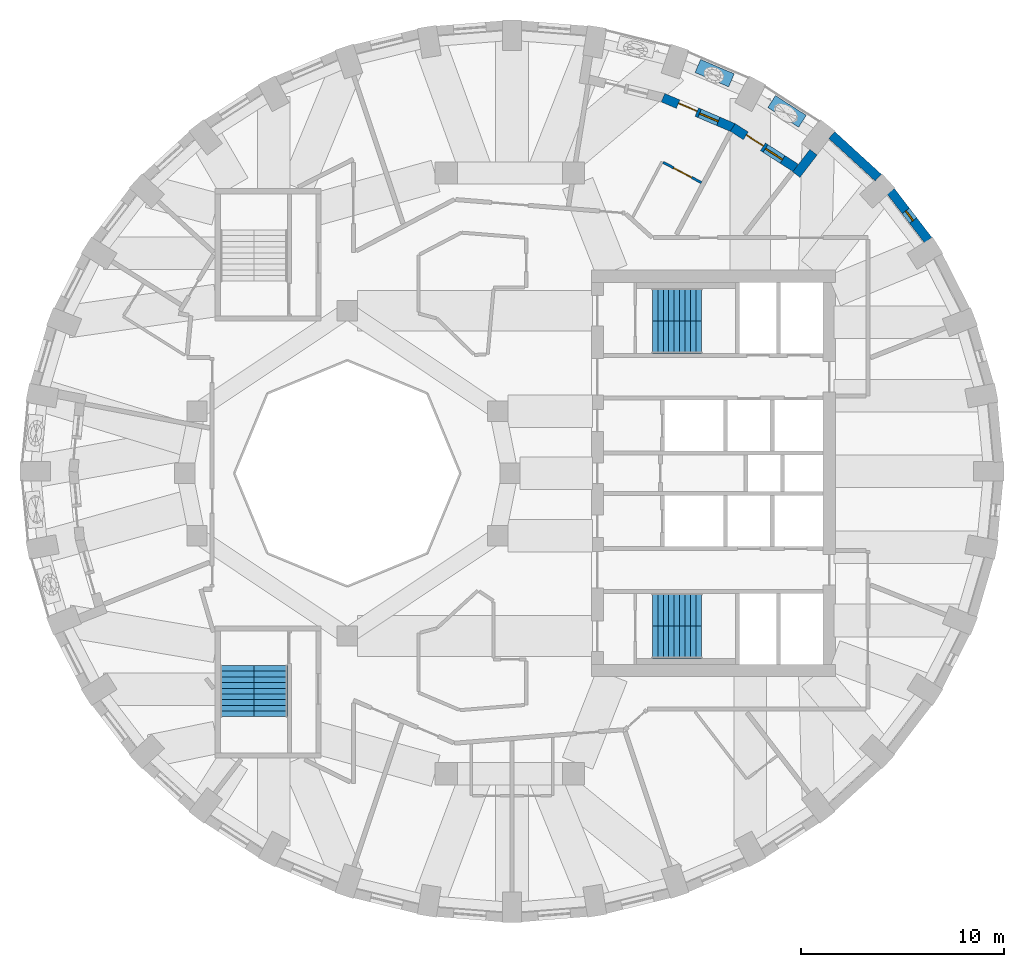
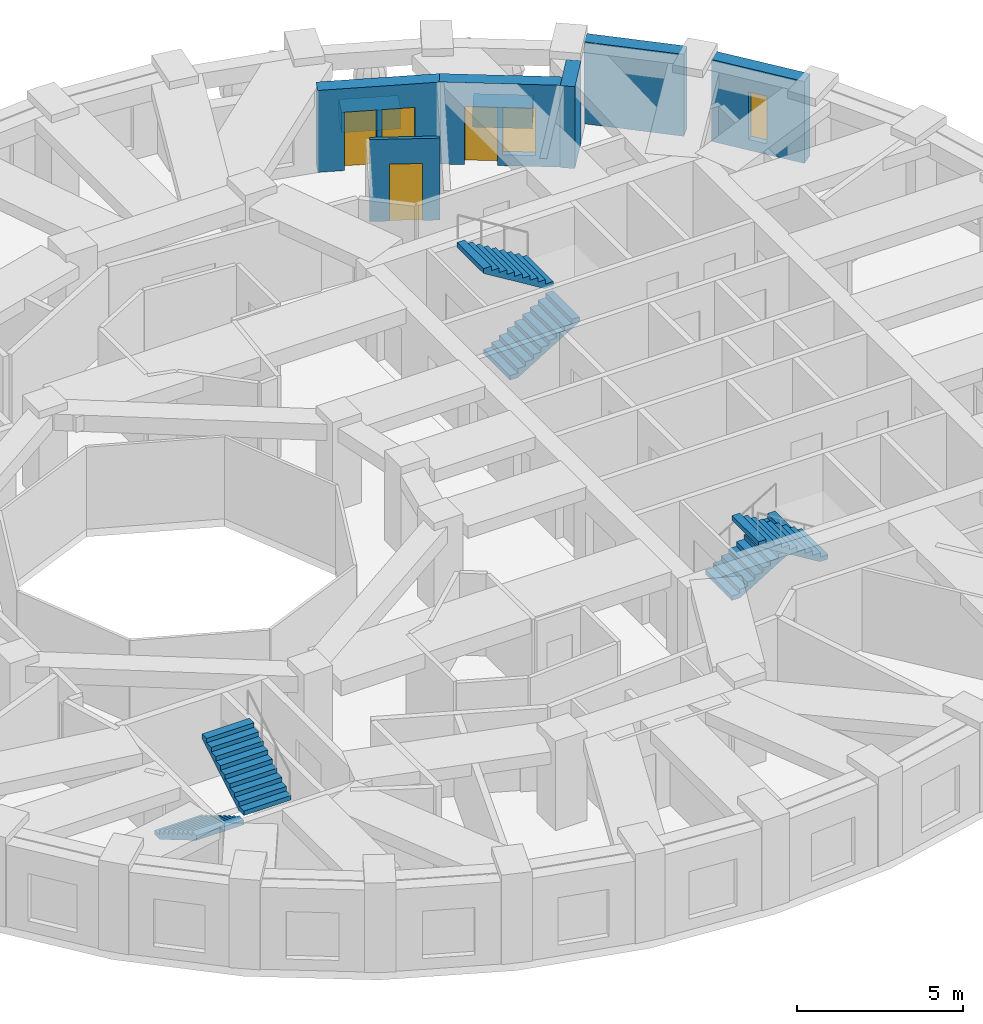
# One storey, part 8 of 12: 8 walls, 6 stair flights, 3 doors, 3 windows, 6 openings, 3 elements without a shape of their own.
"""IFC4 building model written with IfcOpenShell, lengths in metres."""

from ifc_helpers import new_model, si_unit, direction, frame, frame_2d, origin, place, context, subcontext, project, spatial, polyline, rectangle, outline, extrude, material, layer, layer_set, constituent, constituent_set, type_object, element, fill, aggregate, save


model = new_model("IFC4")

# Units and contexts
model_context = context("Model", 3, precision=1e-05, world=origin(), true_north=direction((0.0, 1.0)))
body_context = subcontext(model_context, "Body", "Model", "MODEL_VIEW")
ifc_project = project(units=[si_unit("LENGTHUNIT", "METRE"), si_unit("AREAUNIT", "SQUARE_METRE"), si_unit("VOLUMEUNIT", "CUBIC_METRE"), si_unit("PLANEANGLEUNIT", "RADIAN"), si_unit("MASSUNIT", "GRAM", prefix="KILO")], contexts=[model_context])

# Site, building, storey
site_placement = place(None, origin())
site = spatial("IfcSite", under=ifc_project, at=site_placement, CompositionType="ELEMENT")
building_placement = place(site_placement, origin())
building = spatial("IfcBuilding", under=site, at=building_placement, Name="Taillehof Tower", CompositionType="ELEMENT")
storey_placement = place(building_placement, frame((0.0, 0.0, 148.39990234375)))
storey = spatial("IfcBuildingStorey", under=building, at=storey_placement, Name="L41", CompositionType="ELEMENT", Elevation=148.39990234375)

# Wall, opening, window
ifc_material_1 = material(Name="Brick masonry", Category="masonry")
ifc_layer_1 = layer(ifc_material_1, 0.449951171875)
ifc_layer_set_1 = layer_set([ifc_layer_1], Name="Brick infill wall 450")
wall_type_1 = type_object("IfcWallType", Name="Brick infill wall 450", PredefinedType="SOLIDWALL", material=ifc_layer_set_1)
wall_1_placement = place(storey_placement, frame((20.573974609375, 11.467041015625, 0.0), z_axis=(0.0, 0.0, 1.0), x_axis=(-0.607817056371, 0.794077090706, 0.0)))
wall_1 = element("IfcWall", 1, at=wall_1_placement, inside=storey, type_object=wall_type_1, Name="Brick wall L41 bay 4", PredefinedType="SOLIDWALL", context=body_context, shape_type="SweptSolid", body=[
    extrude(rectangle(XDim=3.037109375, YDim=0.449951171875, at=frame_2d((1.5185546875, 0.0))), origin(), (0.0, 0.0, 1.0), 3.02001953125),
])
opening_1_placement = place(wall_1_placement, frame((1.218505859375, 0.0, 0.39990234375)))
opening_1 = element("IfcOpeningElement", 2, at=opening_1_placement, cuts=wall_1, Name="Opening W6", PredefinedType="OPENING", context=body_context, shape_type="SweptSolid", body=[
    extrude(rectangle(XDim=0.60009765625, YDim=1.75, at=frame_2d((0.300048828125, 0.875))), frame((0.0, 0.23486328125, 0.0), z_axis=(0.0, -1.0, 0.0), x_axis=(1.0, 0.0, 0.0)), (0.0, 0.0, 1.0), 0.469970703125),
])
ifc_material_2 = material(Name="Aluminium window frame with clear double glazing", Category="aluminium")
window_type_1 = type_object("IfcWindowType", Name="Slot window 600x1750", PartitioningType="SINGLE_PANEL", PredefinedType="WINDOW", material=ifc_material_2)
window_1_placement = place(opening_1_placement, origin())
window_1 = element("IfcWindow", 3, at=window_1_placement, inside=storey, type_object=window_type_1, Name="W6", OverallHeight=1.75, OverallWidth=0.60009765625, PartitioningType="SINGLE_PANEL", PredefinedType="WINDOW", context=body_context, shape_type="SweptSolid", body=[
    extrude(rectangle(XDim=0.60009765625, YDim=1.75, at=frame_2d((0.300048828125, 0.875))), frame((0.0, 0.034912109375, 0.0), z_axis=(0.0, -1.0, 0.0), x_axis=(1.0, 0.0, 0.0)), (0.0, 0.0, 1.0), 0.06005859375),
])
fill(opening_1, window_1)

# Walls
wall_2_placement = place(storey_placement, frame((18.11328125, 14.5498046875, 0.0), z_axis=(0.0, 0.0, 1.0), x_axis=(-0.737808755941, 0.675009807082, 0.0)))
element("IfcWall", 4, at=wall_2_placement, inside=storey, type_object=wall_type_1, Name="Brick wall L41 bay 5", PredefinedType="SOLIDWALL", context=body_context, shape_type="SweptSolid", body=[
    extrude(rectangle(XDim=3.094482421875, YDim=0.449951171875, at=frame_2d((1.54736328125, 0.0))), origin(), (0.0, 0.0, 1.0), 3.02001953125),
])
wall_3_placement = place(storey_placement, frame((14.931396484375, 15.796630859375, 0.0), z_axis=(0.0, 0.0, 1.0), x_axis=(-0.609897399413, -0.792480385996, 0.0)))
element("IfcWall", 5, at=wall_3_placement, inside=storey, type_object=wall_type_1, Name="Brick reveal L41 pocket 1", PredefinedType="SOLIDWALL", context=body_context, shape_type="SweptSolid", body=[
    extrude(rectangle(XDim=1.390625, YDim=0.449951171875, at=frame_2d((0.6953125, 0.0))), origin(), (0.0, 0.0, 1.0), 3.02001953125),
])

# Wall, openings, door, window
wall_4_placement = place(storey_placement, frame((14.0537109375, 15.025390625, 0.0), z_axis=(0.0, 0.0, 1.0), x_axis=(-0.841393801846, 0.54042249233, 0.0)))
wall_4 = element("IfcWall", 6, at=wall_4_placement, inside=storey, type_object=wall_type_1, Name="Brick wall L41 pocket bay 6", PredefinedType="SOLIDWALL", context=body_context, shape_type="SweptSolid", body=[
    extrude(rectangle(XDim=3.6826171875, YDim=0.449951171875, at=frame_2d((1.84130859375, 0.0))), origin(), (0.0, 0.0, 1.0), 3.02001953125),
])
opening_2_placement = place(wall_4_placement, frame((0.766357421875, 0.0, 0.39990234375)))
opening_2 = element("IfcOpeningElement", 7, at=opening_2_placement, cuts=wall_4, Name="Opening W5", PredefinedType="OPENING", context=body_context, shape_type="SweptSolid", body=[
    extrude(rectangle(XDim=1.0, YDim=1.75, at=frame_2d((0.5, 0.875))), frame((0.0, 0.23486328125, 0.0), z_axis=(0.0, -1.0, 0.0), x_axis=(1.0, 0.0, 0.0)), (0.0, 0.0, 1.0), 0.469970703125),
])
opening_3_placement = place(wall_4_placement, frame((1.916259765625, 0.0, 0.0)))
opening_3 = element("IfcOpeningElement", 8, at=opening_3_placement, cuts=wall_4, Name="Opening D4194", PredefinedType="OPENING", context=body_context, shape_type="SweptSolid", body=[
    extrude(rectangle(XDim=1.0, YDim=2.14990234375, at=frame_2d((0.5, 1.074951171875))), frame((0.0, 0.23486328125, 0.0), z_axis=(0.0, -1.0, 0.0), x_axis=(1.0, 0.0, 0.0)), (0.0, 0.0, 1.0), 0.469970703125),
])
ifc_material_3 = material(Name="Aluminium door frame with clear double glazing", Category="aluminium")
door_type_1 = type_object("IfcDoorType", Name="Balcony door 1000x2150", OperationType="SINGLE_SWING_RIGHT", PredefinedType="DOOR", material=ifc_material_3)
door_1_placement = place(opening_3_placement, frame((1.0, 0.0, 0.0), z_axis=(0.0, 0.0, 1.0), x_axis=(-1.0, 0.0, 0.0)))
door_1 = element("IfcDoor", 9, at=door_1_placement, inside=storey, type_object=door_type_1, Name="Balcony door L41 bay 6", OperationType="SINGLE_SWING_RIGHT", OverallHeight=2.14990234375, OverallWidth=1.0, PredefinedType="DOOR", context=body_context, shape_type="SweptSolid", body=[
    extrude(rectangle(XDim=1.0, YDim=2.14990234375, at=frame_2d((0.5, 1.074951171875))), frame((0.0, 0.0751953125, 0.0), z_axis=(0.0, -1.0, 0.0), x_axis=(1.0, 0.0, 0.0)), (0.0, 0.0, 1.0), 0.050048828125),
])
fill(opening_3, door_1)
ifc_material_4 = material(Name="Aluminium window frame with clear double glazing", Category="aluminium")
window_type_2 = type_object("IfcWindowType", Name="Fixed window 1000x1750", PartitioningType="SINGLE_PANEL", PredefinedType="WINDOW", material=ifc_material_4)
window_2_placement = place(opening_2_placement, origin())
window_2 = element("IfcWindow", 10, at=window_2_placement, inside=storey, type_object=window_type_2, Name="W5", OverallHeight=1.75, OverallWidth=1.0, PartitioningType="SINGLE_PANEL", PredefinedType="WINDOW", context=body_context, shape_type="SweptSolid", body=[
    extrude(rectangle(XDim=1.0, YDim=1.75, at=frame_2d((0.5, 0.875))), frame((0.0, 0.034912109375, 0.0), z_axis=(0.0, -1.0, 0.0), x_axis=(1.0, 0.0, 0.0)), (0.0, 0.0, 1.0), 0.06005859375),
])
fill(opening_2, window_2)

wall_5_placement = place(storey_placement, frame((10.98828125, 16.998046875, 0.0), z_axis=(0.0, 0.0, 1.0), x_axis=(-0.919443425894, 0.393222311907, 0.0)))
wall_5 = element("IfcWall", 11, at=wall_5_placement, inside=storey, type_object=wall_type_1, Name="Brick wall L41 pocket bay 7", PredefinedType="SOLIDWALL", context=body_context, shape_type="SweptSolid", body=[
    extrude(rectangle(XDim=3.76318359375, YDim=0.449951171875, at=frame_2d((1.881591796875, 0.0))), origin(), (0.0, 0.0, 1.0), 3.02001953125),
])
opening_4_placement = place(wall_5_placement, frame((0.806640625, 0.0, 0.39990234375)))
opening_4 = element("IfcOpeningElement", 12, at=opening_4_placement, cuts=wall_5, Name="Opening W5", PredefinedType="OPENING", context=body_context, shape_type="SweptSolid", body=[
    extrude(rectangle(XDim=1.0, YDim=1.75, at=frame_2d((0.5, 0.875))), frame((0.0, 0.23486328125, 0.0), z_axis=(0.0, -1.0, 0.0), x_axis=(1.0, 0.0, 0.0)), (0.0, 0.0, 1.0), 0.469970703125),
])
opening_5_placement = place(wall_5_placement, frame((1.95654296875, 0.0, 0.0)))
opening_5 = element("IfcOpeningElement", 13, at=opening_5_placement, cuts=wall_5, Name="Opening D4195", PredefinedType="OPENING", context=body_context, shape_type="SweptSolid", body=[
    extrude(rectangle(XDim=1.0, YDim=2.14990234375, at=frame_2d((0.5, 1.074951171875))), frame((0.0, 0.23486328125, 0.0), z_axis=(0.0, -1.0, 0.0), x_axis=(1.0, 0.0, 0.0)), (0.0, 0.0, 1.0), 0.469970703125),
])
door_2_placement = place(opening_5_placement, frame((1.0, 0.0, 0.0), z_axis=(0.0, 0.0, 1.0), x_axis=(-1.0, 0.0, 0.0)))
door_2 = element("IfcDoor", 14, at=door_2_placement, inside=storey, type_object=door_type_1, Name="Balcony door L41 bay 7", OperationType="SINGLE_SWING_LEFT", OverallHeight=2.14990234375, OverallWidth=1.0, PredefinedType="DOOR", context=body_context, shape_type="SweptSolid", body=[
    extrude(rectangle(XDim=1.0, YDim=2.14990234375, at=frame_2d((0.5, 1.074951171875))), frame((0.0, 0.0751953125, 0.0), z_axis=(0.0, -1.0, 0.0), x_axis=(1.0, 0.0, 0.0)), (0.0, 0.0, 1.0), 0.050048828125),
])
fill(opening_5, door_2)
window_3_placement = place(opening_4_placement, origin())
window_3 = element("IfcWindow", 15, at=window_3_placement, inside=storey, type_object=window_type_2, Name="W5", OverallHeight=1.75, OverallWidth=1.0, PartitioningType="SINGLE_PANEL", PredefinedType="WINDOW", context=body_context, shape_type="SweptSolid", body=[
    extrude(rectangle(XDim=1.0, YDim=1.75, at=frame_2d((0.5, 0.875))), frame((0.0, 0.034912109375, 0.0), z_axis=(0.0, -1.0, 0.0), x_axis=(1.0, 0.0, 0.0)), (0.0, 0.0, 1.0), 0.06005859375),
])
fill(opening_4, window_3)

# Wall, opening, door
ifc_material_5 = material(Name="Gypsum board on steel studs, moisture resistant", Category="steel")
ifc_layer_2 = layer(ifc_material_5, 0.1201171875)
ifc_layer_set_2 = layer_set([ifc_layer_2], Name="En-suite wall 120")
wall_type_2 = type_object("IfcWallType", Name="En-suite wall 120", PredefinedType="PARTITIONING", material=ifc_layer_set_2)
wall_6_placement = place(storey_placement, frame((7.532470703125, 15.2998046875, 0.0), z_axis=(0.0, 0.0, 1.0), x_axis=(0.883707061275, -0.468040414764, 0.0)))
wall_6 = element("IfcWall", 16, at=wall_6_placement, inside=storey, type_object=wall_type_2, Name="En-suite wall", PredefinedType="PARTITIONING", context=body_context, shape_type="SweptSolid", body=[
    extrude(rectangle(XDim=2.13037109375, YDim=0.1201171875, at=frame_2d((1.065185546875, 0.0))), origin(), (0.0, 0.0, 1.0), 3.02001953125),
])
opening_6_placement = place(wall_6_placement, frame((0.59033203125, 0.0, 0.0)))
opening_6 = element("IfcOpeningElement", 17, at=opening_6_placement, cuts=wall_6, Name="Opening D4142", PredefinedType="OPENING", context=body_context, shape_type="SweptSolid", body=[
    extrude(rectangle(XDim=1.0, YDim=2.10009765625, at=frame_2d((0.5, 1.050048828125))), frame((0.0, 0.070068359375, 0.0), z_axis=(0.0, -1.0, 0.0), x_axis=(1.0, 0.0, 0.0)), (0.0, 0.0, 1.0), 0.14013671875),
])
ifc_material_6 = material(Name="Timber door leaf in steel frame", Category="steel")
door_type_2 = type_object("IfcDoorType", Name="Accessible en-suite door 1000 x 2100", OperationType="SINGLE_SWING_LEFT", PredefinedType="DOOR", material=ifc_material_6)
door_3_placement = place(opening_6_placement, origin())
door_3 = element("IfcDoor", 18, at=door_3_placement, inside=storey, type_object=door_type_2, Name="D4142", OperationType="SINGLE_SWING_RIGHT", OverallHeight=2.10009765625, OverallWidth=1.0, PredefinedType="DOOR", context=body_context, shape_type="SweptSolid", body=[
    extrude(rectangle(XDim=1.0, YDim=2.10009765625, at=frame_2d((0.5, 1.050048828125))), frame((0.0, 0.02490234375, 0.0), z_axis=(0.0, -1.0, 0.0), x_axis=(1.0, 0.0, 0.0)), (0.0, 0.0, 1.0), 0.050048828125),
])
fill(opening_6, door_3)

# Walls
ifc_material_7 = material(Name="Concrete C30/37 precast", Category="concrete")
ifc_constituent_1 = constituent(ifc_material_7, Name="Structure", Category="concrete")
ifc_material_8 = material(Name="Insulated lining")
ifc_constituent_2 = constituent(ifc_material_8, Name="Lining")
ifc_constituent_set = constituent_set(constituents=[ifc_constituent_1, ifc_constituent_2], Name="Planter trough 700x750")
wall_type_3 = type_object("IfcWallType", Name="Planter trough 700x750", PredefinedType="USERDEFINED", material=ifc_constituent_set)
wall_7_placement = place(storey_placement, frame((14.385986328125, 17.317626953125, 0.0), z_axis=(0.0, 0.0, 1.0), x_axis=(-0.842032375698, 0.539426990682, 0.0)))
element("IfcWall", 19, at=wall_7_placement, inside=storey, type_object=wall_type_3, Name="Planter L41 bay 6", ObjectType="PLANTER", PredefinedType="USERDEFINED", context=body_context, shape_type="SweptSolid", body=[
    extrude(rectangle(XDim=1.800048828125, YDim=0.699951171875, at=frame_2d((0.89990234375, 0.0))), origin(), (0.0, 0.0, 1.0), 0.75),
])
wall_8_placement = place(storey_placement, frame((10.89453125, 19.331298828125, 0.0), z_axis=(0.0, 0.0, 1.0), x_axis=(-0.91978926552, 0.392412674406, 0.0)))
element("IfcWall", 20, at=wall_8_placement, inside=storey, type_object=wall_type_3, Name="Planter L41 bay 7", ObjectType="PLANTER", PredefinedType="USERDEFINED", context=body_context, shape_type="SweptSolid", body=[
    extrude(rectangle(XDim=1.7998046875, YDim=0.699951171875, at=frame_2d((0.89990234375, 0.0))), origin(), (0.0, 0.0, 1.0), 0.75),
])

# Stair, stair flights
ifc_material_9 = material(Name="Concrete C40/50", Category="concrete")
stair_type = type_object("IfcStairType", Name="Exit stair half-turn", PredefinedType="HALF_TURN_STAIR", material=ifc_material_9)
stair_1_placement = place(storey_placement, origin())
stair_1 = element("IfcStair", 21, at=stair_1_placement, inside=storey, type_object=stair_type, Name="Exit stair S1", PredefinedType="HALF_TURN_STAIR")
ifc_material_10 = material(Name="Concrete C40/50", Category="concrete")
stair_flight_type_1 = type_object("IfcStairFlightType", Name="Stair flight 1600 riser 165.0 going 270", PredefinedType="STRAIGHT", material=ifc_material_10)
stair_flight_1_placement = place(storey_placement, frame((7.0, 6.699951171875, 0.0), z_axis=(0.0, 0.0, 1.0), x_axis=(1.0, 0.0, 0.0)))
stair_flight_1 = element("IfcStairFlight", 22, at=stair_flight_1_placement, type_object=stair_flight_type_1, Name="S1 flight 1", NumberOfRisers=10, NumberOfTreads=9, PredefinedType="STRAIGHT", RiserHeight=0.165, TreadLength=0.27, context=body_context, shape_type="SweptSolid", body=[
    extrude(outline(polyline([(0.0, 0.0), (0.0, 0.00537109375), (0.0, 0.0107421875), (0.0, 0.015869140625), (0.0, 0.021240234375), (0.0, 0.026611328125), (0.0, 0.031982421875), (0.0, 0.037353515625), (0.0, 0.04248046875), (0.0, 0.0478515625), (0.0, 0.05322265625), (0.0, 0.05859375), (0.0, 0.06396484375), (0.0, 0.069091796875), (0.0, 0.074462890625), (0.0, 0.079833984375), (0.0, 0.085205078125), (0.0, 0.090576171875), (0.0, 0.095703125), (0.0, 0.10107421875), (0.0, 0.1064453125), (0.0, 0.11181640625), (0.0, 0.1171875), (0.0, 0.122314453125), (0.0, 0.127685546875), (0.0, 0.133056640625), (0.0, 0.138427734375), (0.0, 0.143798828125), (0.0, 0.14892578125), (0.0, 0.154296875), (0.0, 0.15966796875), (0.0, 0.1650390625), (0.27001953125, 0.1650390625), (0.27001953125, 0.330078125), (0.5400390625, 0.330078125), (0.5400390625, 0.4951171875), (0.81005859375, 0.4951171875), (0.81005859375, 0.659912109375), (1.080078125, 0.659912109375), (1.080078125, 0.824951171875), (1.35009765625, 0.824951171875), (1.35009765625, 0.989990234375), (1.6201171875, 0.989990234375), (1.6201171875, 1.155029296875), (1.889892578125, 1.155029296875), (1.889892578125, 1.320068359375), (2.159912109375, 1.320068359375), (2.159912109375, 1.485107421875), (2.429931640625, 1.485107421875), (2.429931640625, 1.479248046875), (2.429931640625, 1.4736328125), (2.429931640625, 1.468017578125), (2.429931640625, 1.46240234375), (2.429931640625, 1.45654296875), (2.429931640625, 1.450927734375), (2.429931640625, 1.4453125), (2.429931640625, 1.439697265625), (2.429931640625, 1.43408203125), (2.429931640625, 1.42822265625), (2.429931640625, 1.422607421875), (2.429931640625, 1.4169921875), (2.429931640625, 1.411376953125), (2.429931640625, 1.40576171875), (2.429931640625, 1.39990234375), (2.429931640625, 1.394287109375), (2.429931640625, 1.388671875), (2.429931640625, 1.383056640625), (2.429931640625, 1.37744140625), (2.429931640625, 1.37158203125), (2.429931640625, 1.365966796875), (2.429931640625, 1.3603515625), (2.429931640625, 1.354736328125), (2.429931640625, 1.348876953125), (2.429931640625, 1.34326171875), (2.429931640625, 1.337646484375), (2.429931640625, 1.33203125), (2.429931640625, 1.326416015625), (2.429931640625, 1.320556640625), (2.429931640625, 1.31494140625), (2.429931640625, 1.309326171875), (0.287353515625, 0.0), (0.0, 0.0)])), frame((0.0, 0.800048828125, 0.0), z_axis=(0.0, -1.0, 0.0), x_axis=(1.0, 0.0, 0.0)), (0.0, 0.0, 1.0), 1.6),
])
stair_flight_2_placement = place(storey_placement, frame((9.429931640625, 8.300048828125, 1.650146484375), z_axis=(0.0, 0.0, 1.0), x_axis=(-1.0, 0.0, 0.0)))
stair_flight_2 = element("IfcStairFlight", 23, at=stair_flight_2_placement, type_object=stair_flight_type_1, Name="S1 flight 2", NumberOfRisers=10, NumberOfTreads=9, PredefinedType="STRAIGHT", RiserHeight=0.165, TreadLength=0.27, context=body_context, shape_type="SweptSolid", body=[
    extrude(outline(polyline([(0.0, 0.0), (0.0, 0.00537109375), (0.0, 0.0107421875), (0.0, 0.015869140625), (0.0, 0.021240234375), (0.0, 0.026611328125), (0.0, 0.031982421875), (0.0, 0.037353515625), (0.0, 0.04248046875), (0.0, 0.0478515625), (0.0, 0.05322265625), (0.0, 0.05859375), (0.0, 0.06396484375), (0.0, 0.069091796875), (0.0, 0.074462890625), (0.0, 0.079833984375), (0.0, 0.085205078125), (0.0, 0.090576171875), (0.0, 0.095703125), (0.0, 0.10107421875), (0.0, 0.1064453125), (0.0, 0.11181640625), (0.0, 0.1171875), (0.0, 0.122314453125), (0.0, 0.127685546875), (0.0, 0.133056640625), (0.0, 0.138427734375), (0.0, 0.143798828125), (0.0, 0.14892578125), (0.0, 0.154296875), (0.0, 0.15966796875), (0.0, 0.1650390625), (0.27001953125, 0.1650390625), (0.27001953125, 0.330078125), (0.5400390625, 0.330078125), (0.5400390625, 0.4951171875), (0.81005859375, 0.4951171875), (0.81005859375, 0.659912109375), (1.080078125, 0.659912109375), (1.080078125, 0.824951171875), (1.35009765625, 0.824951171875), (1.35009765625, 0.989990234375), (1.6201171875, 0.989990234375), (1.6201171875, 1.155029296875), (1.889892578125, 1.155029296875), (1.889892578125, 1.320068359375), (2.159912109375, 1.320068359375), (2.159912109375, 1.485107421875), (2.429931640625, 1.485107421875), (2.429931640625, 1.479248046875), (2.429931640625, 1.4736328125), (2.429931640625, 1.468017578125), (2.429931640625, 1.46240234375), (2.429931640625, 1.45654296875), (2.429931640625, 1.450927734375), (2.429931640625, 1.4453125), (2.429931640625, 1.439697265625), (2.429931640625, 1.43408203125), (2.429931640625, 1.42822265625), (2.429931640625, 1.422607421875), (2.429931640625, 1.4169921875), (2.429931640625, 1.411376953125), (2.429931640625, 1.40576171875), (2.429931640625, 1.39990234375), (2.429931640625, 1.394287109375), (2.429931640625, 1.388671875), (2.429931640625, 1.383056640625), (2.429931640625, 1.37744140625), (2.429931640625, 1.37158203125), (2.429931640625, 1.365966796875), (2.429931640625, 1.3603515625), (2.429931640625, 1.354736328125), (2.429931640625, 1.348876953125), (2.429931640625, 1.34326171875), (2.429931640625, 1.337646484375), (2.429931640625, 1.33203125), (2.429931640625, 1.326416015625), (2.429931640625, 1.320556640625), (2.429931640625, 1.31494140625), (2.429931640625, 1.309326171875), (0.287353515625, 0.0), (0.0, 0.0)])), frame((0.0, 0.800048828125, 0.0), z_axis=(0.0, -1.0, 0.0), x_axis=(1.0, 0.0, 0.0)), (0.0, 0.0, 1.0), 1.6),
])
aggregate(stair_1, [stair_flight_1, stair_flight_2])

stair_2_placement = place(storey_placement, origin())
stair_2 = element("IfcStair", 24, at=stair_2_placement, inside=storey, type_object=stair_type, Name="Exit stair S2", PredefinedType="HALF_TURN_STAIR")
stair_flight_3_placement = place(storey_placement, frame((7.0, -6.699951171875, 0.0), z_axis=(0.0, 0.0, 1.0), x_axis=(1.0, 0.0, 0.0)))
stair_flight_3 = element("IfcStairFlight", 25, at=stair_flight_3_placement, type_object=stair_flight_type_1, Name="S2 flight 1", NumberOfRisers=10, NumberOfTreads=9, PredefinedType="STRAIGHT", RiserHeight=0.165, TreadLength=0.27, context=body_context, shape_type="SweptSolid", body=[
    extrude(outline(polyline([(0.0, 0.0), (0.0, 0.00537109375), (0.0, 0.0107421875), (0.0, 0.015869140625), (0.0, 0.021240234375), (0.0, 0.026611328125), (0.0, 0.031982421875), (0.0, 0.037353515625), (0.0, 0.04248046875), (0.0, 0.0478515625), (0.0, 0.05322265625), (0.0, 0.05859375), (0.0, 0.06396484375), (0.0, 0.069091796875), (0.0, 0.074462890625), (0.0, 0.079833984375), (0.0, 0.085205078125), (0.0, 0.090576171875), (0.0, 0.095703125), (0.0, 0.10107421875), (0.0, 0.1064453125), (0.0, 0.11181640625), (0.0, 0.1171875), (0.0, 0.122314453125), (0.0, 0.127685546875), (0.0, 0.133056640625), (0.0, 0.138427734375), (0.0, 0.143798828125), (0.0, 0.14892578125), (0.0, 0.154296875), (0.0, 0.15966796875), (0.0, 0.1650390625), (0.27001953125, 0.1650390625), (0.27001953125, 0.330078125), (0.5400390625, 0.330078125), (0.5400390625, 0.4951171875), (0.81005859375, 0.4951171875), (0.81005859375, 0.659912109375), (1.080078125, 0.659912109375), (1.080078125, 0.824951171875), (1.35009765625, 0.824951171875), (1.35009765625, 0.989990234375), (1.6201171875, 0.989990234375), (1.6201171875, 1.155029296875), (1.889892578125, 1.155029296875), (1.889892578125, 1.320068359375), (2.159912109375, 1.320068359375), (2.159912109375, 1.485107421875), (2.429931640625, 1.485107421875), (2.429931640625, 1.479248046875), (2.429931640625, 1.4736328125), (2.429931640625, 1.468017578125), (2.429931640625, 1.46240234375), (2.429931640625, 1.45654296875), (2.429931640625, 1.450927734375), (2.429931640625, 1.4453125), (2.429931640625, 1.439697265625), (2.429931640625, 1.43408203125), (2.429931640625, 1.42822265625), (2.429931640625, 1.422607421875), (2.429931640625, 1.4169921875), (2.429931640625, 1.411376953125), (2.429931640625, 1.40576171875), (2.429931640625, 1.39990234375), (2.429931640625, 1.394287109375), (2.429931640625, 1.388671875), (2.429931640625, 1.383056640625), (2.429931640625, 1.37744140625), (2.429931640625, 1.37158203125), (2.429931640625, 1.365966796875), (2.429931640625, 1.3603515625), (2.429931640625, 1.354736328125), (2.429931640625, 1.348876953125), (2.429931640625, 1.34326171875), (2.429931640625, 1.337646484375), (2.429931640625, 1.33203125), (2.429931640625, 1.326416015625), (2.429931640625, 1.320556640625), (2.429931640625, 1.31494140625), (2.429931640625, 1.309326171875), (0.287353515625, 0.0), (0.0, 0.0)])), frame((0.0, 0.800048828125, 0.0), z_axis=(0.0, -1.0, 0.0), x_axis=(1.0, 0.0, 0.0)), (0.0, 0.0, 1.0), 1.6),
])
stair_flight_4_placement = place(storey_placement, frame((9.429931640625, -8.300048828125, 1.650146484375), z_axis=(0.0, 0.0, 1.0), x_axis=(-1.0, 0.0, 0.0)))
stair_flight_4 = element("IfcStairFlight", 26, at=stair_flight_4_placement, type_object=stair_flight_type_1, Name="S2 flight 2", NumberOfRisers=10, NumberOfTreads=9, PredefinedType="STRAIGHT", RiserHeight=0.165, TreadLength=0.27, context=body_context, shape_type="SweptSolid", body=[
    extrude(outline(polyline([(0.0, 0.0), (0.0, 0.00537109375), (0.0, 0.0107421875), (0.0, 0.015869140625), (0.0, 0.021240234375), (0.0, 0.026611328125), (0.0, 0.031982421875), (0.0, 0.037353515625), (0.0, 0.04248046875), (0.0, 0.0478515625), (0.0, 0.05322265625), (0.0, 0.05859375), (0.0, 0.06396484375), (0.0, 0.069091796875), (0.0, 0.074462890625), (0.0, 0.079833984375), (0.0, 0.085205078125), (0.0, 0.090576171875), (0.0, 0.095703125), (0.0, 0.10107421875), (0.0, 0.1064453125), (0.0, 0.11181640625), (0.0, 0.1171875), (0.0, 0.122314453125), (0.0, 0.127685546875), (0.0, 0.133056640625), (0.0, 0.138427734375), (0.0, 0.143798828125), (0.0, 0.14892578125), (0.0, 0.154296875), (0.0, 0.15966796875), (0.0, 0.1650390625), (0.27001953125, 0.1650390625), (0.27001953125, 0.330078125), (0.5400390625, 0.330078125), (0.5400390625, 0.4951171875), (0.81005859375, 0.4951171875), (0.81005859375, 0.659912109375), (1.080078125, 0.659912109375), (1.080078125, 0.824951171875), (1.35009765625, 0.824951171875), (1.35009765625, 0.989990234375), (1.6201171875, 0.989990234375), (1.6201171875, 1.155029296875), (1.889892578125, 1.155029296875), (1.889892578125, 1.320068359375), (2.159912109375, 1.320068359375), (2.159912109375, 1.485107421875), (2.429931640625, 1.485107421875), (2.429931640625, 1.479248046875), (2.429931640625, 1.4736328125), (2.429931640625, 1.468017578125), (2.429931640625, 1.46240234375), (2.429931640625, 1.45654296875), (2.429931640625, 1.450927734375), (2.429931640625, 1.4453125), (2.429931640625, 1.439697265625), (2.429931640625, 1.43408203125), (2.429931640625, 1.42822265625), (2.429931640625, 1.422607421875), (2.429931640625, 1.4169921875), (2.429931640625, 1.411376953125), (2.429931640625, 1.40576171875), (2.429931640625, 1.39990234375), (2.429931640625, 1.394287109375), (2.429931640625, 1.388671875), (2.429931640625, 1.383056640625), (2.429931640625, 1.37744140625), (2.429931640625, 1.37158203125), (2.429931640625, 1.365966796875), (2.429931640625, 1.3603515625), (2.429931640625, 1.354736328125), (2.429931640625, 1.348876953125), (2.429931640625, 1.34326171875), (2.429931640625, 1.337646484375), (2.429931640625, 1.33203125), (2.429931640625, 1.326416015625), (2.429931640625, 1.320556640625), (2.429931640625, 1.31494140625), (2.429931640625, 1.309326171875), (0.287353515625, 0.0), (0.0, 0.0)])), frame((0.0, 0.800048828125, 0.0), z_axis=(0.0, -1.0, 0.0), x_axis=(1.0, 0.0, 0.0)), (0.0, 0.0, 1.0), 1.6),
])
aggregate(stair_2, [stair_flight_3, stair_flight_4])

stair_3_placement = place(storey_placement, origin())
stair_3 = element("IfcStair", 27, at=stair_3_placement, inside=storey, type_object=stair_type, Name="Exit stair S4", PredefinedType="HALF_TURN_STAIR")
ifc_material_11 = material(Name="Concrete C40/50", Category="concrete")
stair_flight_type_2 = type_object("IfcStairFlightType", Name="Stair flight 1650 riser 165.0 going 280", PredefinedType="STRAIGHT", material=ifc_material_11)
stair_flight_5_placement = place(storey_placement, frame((-13.425048828125, -9.449951171875, 0.0), z_axis=(0.0, 0.0, 1.0), x_axis=(0.0, -1.0, 0.0)))
stair_flight_5 = element("IfcStairFlight", 28, at=stair_flight_5_placement, type_object=stair_flight_type_2, Name="S4 flight 1", NumberOfRisers=10, NumberOfTreads=9, PredefinedType="STRAIGHT", RiserHeight=0.165, TreadLength=0.28, context=body_context, shape_type="SweptSolid", body=[
    extrude(outline(polyline([(0.0, 0.0), (0.0, 0.00537109375), (0.0, 0.0107421875), (0.0, 0.015869140625), (0.0, 0.021240234375), (0.0, 0.026611328125), (0.0, 0.031982421875), (0.0, 0.037353515625), (0.0, 0.04248046875), (0.0, 0.0478515625), (0.0, 0.05322265625), (0.0, 0.05859375), (0.0, 0.06396484375), (0.0, 0.069091796875), (0.0, 0.074462890625), (0.0, 0.079833984375), (0.0, 0.085205078125), (0.0, 0.090576171875), (0.0, 0.095703125), (0.0, 0.10107421875), (0.0, 0.1064453125), (0.0, 0.11181640625), (0.0, 0.1171875), (0.0, 0.122314453125), (0.0, 0.127685546875), (0.0, 0.133056640625), (0.0, 0.138427734375), (0.0, 0.143798828125), (0.0, 0.14892578125), (0.0, 0.154296875), (0.0, 0.15966796875), (0.0, 0.1650390625), (0.280029296875, 0.1650390625), (0.280029296875, 0.330078125), (0.56005859375, 0.330078125), (0.56005859375, 0.4951171875), (0.840087890625, 0.4951171875), (0.840087890625, 0.659912109375), (1.1201171875, 0.659912109375), (1.1201171875, 0.824951171875), (1.39990234375, 0.824951171875), (1.39990234375, 0.989990234375), (1.679931640625, 0.989990234375), (1.679931640625, 1.155029296875), (1.9599609375, 1.155029296875), (1.9599609375, 1.320068359375), (2.239990234375, 1.320068359375), (2.239990234375, 1.485107421875), (2.52001953125, 1.485107421875), (2.52001953125, 1.4794921875), (2.52001953125, 1.473876953125), (2.52001953125, 1.46826171875), (2.52001953125, 1.462646484375), (2.52001953125, 1.45703125), (2.52001953125, 1.451416015625), (2.52001953125, 1.44580078125), (2.52001953125, 1.440185546875), (2.52001953125, 1.4345703125), (2.52001953125, 1.428955078125), (2.52001953125, 1.42333984375), (2.52001953125, 1.417724609375), (2.52001953125, 1.412109375), (2.52001953125, 1.406494140625), (2.52001953125, 1.40087890625), (2.52001953125, 1.395263671875), (2.52001953125, 1.3896484375), (2.52001953125, 1.384033203125), (2.52001953125, 1.37841796875), (2.52001953125, 1.372802734375), (2.52001953125, 1.3671875), (2.52001953125, 1.361572265625), (2.52001953125, 1.35595703125), (2.52001953125, 1.350341796875), (2.52001953125, 1.3447265625), (2.52001953125, 1.339111328125), (2.52001953125, 1.33349609375), (2.52001953125, 1.327880859375), (2.52001953125, 1.322265625), (2.52001953125, 1.316650390625), (2.52001953125, 1.31103515625), (0.295166015625, 0.0), (0.0, 0.0)])), frame((0.0, 0.824951171875, 0.0), z_axis=(0.0, -1.0, 0.0), x_axis=(1.0, 0.0, 0.0)), (0.0, 0.0, 1.0), 1.65),
])
stair_flight_6_placement = place(storey_placement, frame((-11.77490234375, -11.969970703125, 1.650146484375), z_axis=(0.0, 0.0, 1.0), x_axis=(0.0, 1.0, 0.0)))
stair_flight_6 = element("IfcStairFlight", 29, at=stair_flight_6_placement, type_object=stair_flight_type_2, Name="S4 flight 2", NumberOfRisers=10, NumberOfTreads=9, PredefinedType="STRAIGHT", RiserHeight=0.165, TreadLength=0.28, context=body_context, shape_type="SweptSolid", body=[
    extrude(outline(polyline([(0.0, 0.0), (0.0, 0.00537109375), (0.0, 0.0107421875), (0.0, 0.015869140625), (0.0, 0.021240234375), (0.0, 0.026611328125), (0.0, 0.031982421875), (0.0, 0.037353515625), (0.0, 0.04248046875), (0.0, 0.0478515625), (0.0, 0.05322265625), (0.0, 0.05859375), (0.0, 0.06396484375), (0.0, 0.069091796875), (0.0, 0.074462890625), (0.0, 0.079833984375), (0.0, 0.085205078125), (0.0, 0.090576171875), (0.0, 0.095703125), (0.0, 0.10107421875), (0.0, 0.1064453125), (0.0, 0.11181640625), (0.0, 0.1171875), (0.0, 0.122314453125), (0.0, 0.127685546875), (0.0, 0.133056640625), (0.0, 0.138427734375), (0.0, 0.143798828125), (0.0, 0.14892578125), (0.0, 0.154296875), (0.0, 0.15966796875), (0.0, 0.1650390625), (0.280029296875, 0.1650390625), (0.280029296875, 0.330078125), (0.56005859375, 0.330078125), (0.56005859375, 0.4951171875), (0.840087890625, 0.4951171875), (0.840087890625, 0.659912109375), (1.1201171875, 0.659912109375), (1.1201171875, 0.824951171875), (1.39990234375, 0.824951171875), (1.39990234375, 0.989990234375), (1.679931640625, 0.989990234375), (1.679931640625, 1.155029296875), (1.9599609375, 1.155029296875), (1.9599609375, 1.320068359375), (2.239990234375, 1.320068359375), (2.239990234375, 1.485107421875), (2.52001953125, 1.485107421875), (2.52001953125, 1.4794921875), (2.52001953125, 1.473876953125), (2.52001953125, 1.46826171875), (2.52001953125, 1.462646484375), (2.52001953125, 1.45703125), (2.52001953125, 1.451416015625), (2.52001953125, 1.44580078125), (2.52001953125, 1.440185546875), (2.52001953125, 1.4345703125), (2.52001953125, 1.428955078125), (2.52001953125, 1.42333984375), (2.52001953125, 1.417724609375), (2.52001953125, 1.412109375), (2.52001953125, 1.406494140625), (2.52001953125, 1.40087890625), (2.52001953125, 1.395263671875), (2.52001953125, 1.3896484375), (2.52001953125, 1.384033203125), (2.52001953125, 1.37841796875), (2.52001953125, 1.372802734375), (2.52001953125, 1.3671875), (2.52001953125, 1.361572265625), (2.52001953125, 1.35595703125), (2.52001953125, 1.350341796875), (2.52001953125, 1.3447265625), (2.52001953125, 1.339111328125), (2.52001953125, 1.33349609375), (2.52001953125, 1.327880859375), (2.52001953125, 1.322265625), (2.52001953125, 1.316650390625), (2.52001953125, 1.31103515625), (0.295166015625, 0.0), (0.0, 0.0)])), frame((0.0, 0.824951171875, 0.0), z_axis=(0.0, -1.0, 0.0), x_axis=(1.0, 0.0, 0.0)), (0.0, 0.0, 1.0), 1.65),
])
aggregate(stair_3, [stair_flight_5, stair_flight_6])

save(model, "model.ifc")
